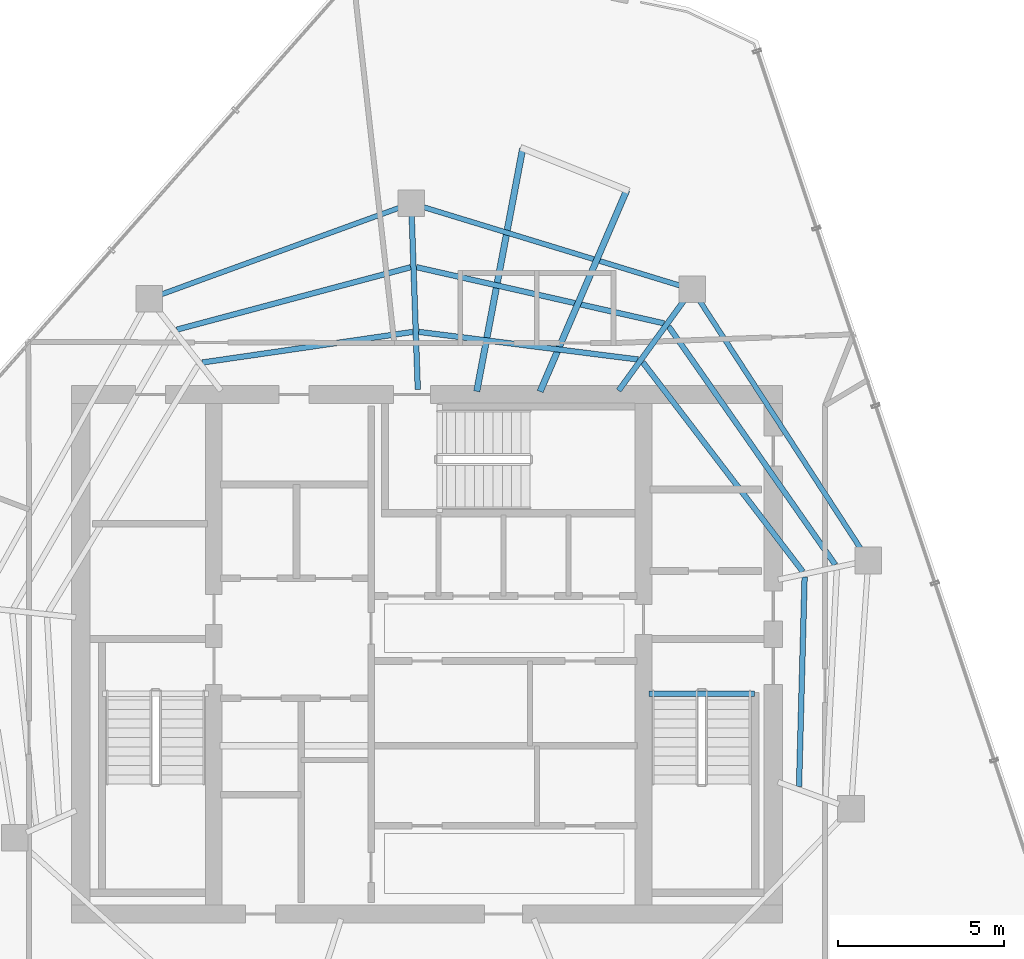
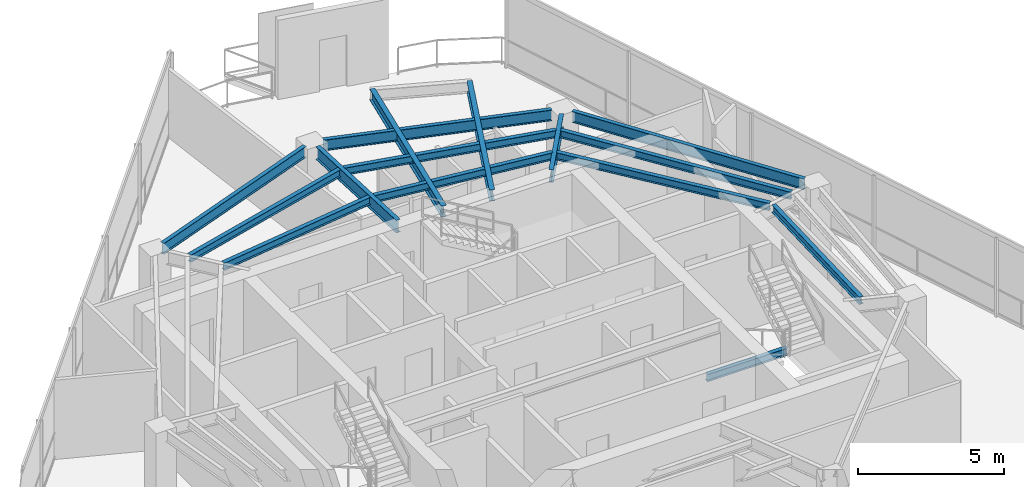
# One storey, part 9 of 18: 15 beams.
"""IFC4 building model written with IfcOpenShell, lengths in metres."""

from ifc_helpers import new_model, si_unit, direction, frame, origin, origin_2d, place, context, subcontext, project, spatial, i_section, extrude, material, material_profile, profile_set, type_object, element, save


model = new_model("IFC4")

# Units and contexts
model_context = context("Model", 3, precision=1e-05, world=origin(), true_north=direction((0.0, 1.0)))
body_context = subcontext(model_context, "Body", "Model", "MODEL_VIEW")
ifc_project = project(units=[si_unit("LENGTHUNIT", "METRE"), si_unit("AREAUNIT", "SQUARE_METRE"), si_unit("VOLUMEUNIT", "CUBIC_METRE"), si_unit("PLANEANGLEUNIT", "RADIAN"), si_unit("MASSUNIT", "GRAM", prefix="KILO")], contexts=[model_context])

# Site, building, storey
site_placement = place(None, origin())
site = spatial("IfcSite", under=ifc_project, at=site_placement, CompositionType="ELEMENT")
building_placement = place(site_placement, origin())
building = spatial("IfcBuilding", under=site, at=building_placement, Name="Qarnah Convention Tower", CompositionType="ELEMENT")
storey_placement = place(building_placement, frame((0.0, 0.0, 249.89990234375)))
storey = spatial("IfcBuildingStorey", under=building, at=storey_placement, Name="L67", CompositionType="ELEMENT", Elevation=249.89990234375)

# Beams
ifc_material = material(Name="Structural steel S355JR", Category="steel")
ifc_material_profile_1 = material_profile(ifc_material, i_section(OverallWidth=0.19189453125, OverallDepth=0.464111328125, WebThickness=0.010986328125, FlangeThickness=0.01806640625, at=origin_2d()), Name="W460X89")
ifc_profile_set_1 = profile_set([ifc_material_profile_1], Name="Structural steel S355JR")
beam_type_1 = type_object("IfcBeamType", Name="BM-CANT-W460A", PredefinedType="BEAM", material=ifc_profile_set_1)
beam_1_placement = place(storey_placement, frame((38.694091796875, 34.298095703125, 3.088134765625), z_axis=(0.185836759901, 0.982580632146, 0.0), x_axis=(-0.982580632146, 0.185836759901, 0.0)))
element("IfcBeam", 1, at=beam_1_placement, inside=storey, type_object=beam_type_1, Name="L67 beam BM-L67-CNT-01-1", PredefinedType="BEAM", context=body_context, shape_type="SweptSolid", body=[
    extrude(i_section(OverallWidth=0.19189453125, OverallDepth=0.464111328125, WebThickness=0.010986328125, FlangeThickness=0.01806640625, at=origin_2d()), origin(), (0.0, 0.0, 1.0), 7.42529296875),
])
beam_2_placement = place(storey_placement, frame((40.596923828125, 34.2919921875, 3.088134765625), z_axis=(0.395203303624, 0.918593679929, 0.0), x_axis=(-0.918593679929, 0.395203303624, 0.0)))
element("IfcBeam", 2, at=beam_2_placement, inside=storey, type_object=beam_type_1, Name="L67 beam BM-L67-CNT-01-2", PredefinedType="BEAM", context=body_context, shape_type="SweptSolid", body=[
    extrude(i_section(OverallWidth=0.19189453125, OverallDepth=0.464111328125, WebThickness=0.010986328125, FlangeThickness=0.01806640625, at=origin_2d()), origin(), (0.0, 0.0, 1.0), 6.583984375),
])
ifc_material_profile_2 = material_profile(ifc_material, i_section(OverallWidth=0.166015625, OverallDepth=0.31201171875, WebThickness=0.007080078125, FlangeThickness=0.010986328125, at=origin_2d()), Name="W310X45")
ifc_profile_set_2 = profile_set([ifc_material_profile_2], Name="Structural steel S355JR")
beam_type_2 = type_object("IfcBeamType", Name="BM-JST-W310", PredefinedType="JOIST", material=ifc_profile_set_2)
beam_3_placement = place(storey_placement, frame((43.860107421875, 25.217041015625, -0.156005859375), z_axis=(1.0, 0.0, 0.0), x_axis=(0.0, 1.0, 0.0)))
element("IfcBeam", 3, at=beam_3_placement, inside=storey, type_object=beam_type_2, Name="L67 stair landing trimmer beam BM-L67-ST2-TRM", PredefinedType="BEAM", context=body_context, shape_type="SweptSolid", body=[
    extrude(i_section(OverallWidth=0.166015625, OverallDepth=0.31201171875, WebThickness=0.007080078125, FlangeThickness=0.010986328125, at=origin_2d()), origin(), (0.0, 0.0, 1.0), 3.179931640625),
])
beam_4_placement = place(storey_placement, frame((49.4599609375, 29.091064453125, 3.1640625), z_axis=(-0.573009887427, 0.819548454279, 0.0), x_axis=(-0.819548454279, -0.573009887427, 0.0)))
element("IfcBeam", 4, at=beam_4_placement, inside=storey, type_object=beam_type_2, Name="L67 joist BM-L67-SJST-01", PredefinedType="JOIST", context=body_context, shape_type="SweptSolid", body=[
    extrude(i_section(OverallWidth=0.166015625, OverallDepth=0.31201171875, WebThickness=0.007080078125, FlangeThickness=0.010986328125, at=origin_2d()), origin(), (0.0, 0.0, 1.0), 8.729248046875),
])
beam_5_placement = place(storey_placement, frame((44.318115234375, 36.339111328125, 3.1640625), z_axis=(-0.975196339646, 0.221341589269, 0.0), x_axis=(-0.221341589269, -0.975196339646, 0.0)))
element("IfcBeam", 5, at=beam_5_placement, inside=storey, type_object=beam_type_2, Name="L67 joist BM-L67-SJST-02", PredefinedType="JOIST", context=body_context, shape_type="SweptSolid", body=[
    extrude(i_section(OverallWidth=0.166015625, OverallDepth=0.31201171875, WebThickness=0.007080078125, FlangeThickness=0.010986328125, at=origin_2d()), origin(), (0.0, 0.0, 1.0), 7.626220703125),
])
beam_6_placement = place(storey_placement, frame((36.7060546875, 38.02392578125, 3.1640625), z_axis=(-0.966190302214, -0.25782998256, 0.0), x_axis=(0.25782998256, -0.966190302214, 0.0)))
element("IfcBeam", 6, at=beam_6_placement, inside=storey, type_object=beam_type_2, Name="L67 joist BM-L67-SJST-03", PredefinedType="JOIST", context=body_context, shape_type="SweptSolid", body=[
    extrude(i_section(OverallWidth=0.166015625, OverallDepth=0.31201171875, WebThickness=0.007080078125, FlangeThickness=0.010986328125, at=origin_2d()), origin(), (0.0, 0.0, 1.0), 7.2646484375),
])
beam_7_placement = place(storey_placement, frame((48.487060546875, 28.882080078125, 3.1640625), z_axis=(-0.60729325576, 0.794477753942, 0.0), x_axis=(-0.794477753942, -0.60729325576, 0.0)))
element("IfcBeam", 7, at=beam_7_placement, inside=storey, type_object=beam_type_2, Name="L67 joist BM-L67-IJST-01", PredefinedType="JOIST", context=body_context, shape_type="SweptSolid", body=[
    extrude(i_section(OverallWidth=0.166015625, OverallDepth=0.31201171875, WebThickness=0.007080078125, FlangeThickness=0.010986328125, at=origin_2d()), origin(), (0.0, 0.0, 1.0), 7.915771484375),
])
beam_8_placement = place(storey_placement, frame((43.535888671875, 35.25390625, 3.1640625), z_axis=(-0.992148311533, 0.125066893787, 0.0), x_axis=(-0.125066893787, -0.992148311533, 0.0)))
element("IfcBeam", 8, at=beam_8_placement, inside=storey, type_object=beam_type_2, Name="L67 joist BM-L67-IJST-02", PredefinedType="JOIST", context=body_context, shape_type="SweptSolid", body=[
    extrude(i_section(OverallWidth=0.166015625, OverallDepth=0.31201171875, WebThickness=0.007080078125, FlangeThickness=0.010986328125, at=origin_2d()), origin(), (0.0, 0.0, 1.0), 6.636962890625),
])
beam_9_placement = place(storey_placement, frame((36.77294921875, 36.08203125, 3.1640625), z_axis=(-0.989593962144, -0.143888116565, 0.0), x_axis=(0.143888116565, -0.989593962144, 0.0)))
element("IfcBeam", 9, at=beam_9_placement, inside=storey, type_object=beam_type_2, Name="L67 joist BM-L67-IJST-03", PredefinedType="JOIST", context=body_context, shape_type="SweptSolid", body=[
    extrude(i_section(OverallWidth=0.166015625, OverallDepth=0.31201171875, WebThickness=0.007080078125, FlangeThickness=0.010986328125, at=origin_2d()), origin(), (0.0, 0.0, 1.0), 6.386474609375),
])
beam_10_placement = place(storey_placement, frame((48.3720703125, 22.425048828125, 3.1640625), z_axis=(0.026673720323, 0.999644193023, 0.0), x_axis=(-0.999644193023, 0.026673720323, 0.0)))
element("IfcBeam", 10, at=beam_10_placement, inside=storey, type_object=beam_type_2, Name="L67 joist BM-L67-IJST-09", PredefinedType="JOIST", context=body_context, shape_type="SweptSolid", body=[
    extrude(i_section(OverallWidth=0.166015625, OverallDepth=0.31201171875, WebThickness=0.007080078125, FlangeThickness=0.010986328125, at=origin_2d()), origin(), (0.0, 0.0, 1.0), 6.297119140625),
])
ifc_material_profile_3 = material_profile(ifc_material, i_section(OverallWidth=0.166015625, OverallDepth=0.535888671875, WebThickness=0.010009765625, FlangeThickness=0.01708984375, at=origin_2d()), Name="W530X85")
ifc_profile_set_3 = profile_set([ifc_material_profile_3], Name="Structural steel S355JR")
beam_type_3 = type_object("IfcBeamType", Name="BM-RAD-W530B", PredefinedType="BEAM", material=ifc_profile_set_3)
beam_11_placement = place(storey_placement, frame((42.955078125, 34.321044921875, 3.052001953125), z_axis=(0.587699029113, 0.809079632162, 0.0), x_axis=(-0.809079632162, 0.587699029113, 0.0)))
element("IfcBeam", 11, at=beam_11_placement, inside=storey, type_object=beam_type_3, Name="L67 beam BM-L67-RAD-02", PredefinedType="BEAM", context=body_context, shape_type="SweptSolid", body=[
    extrude(i_section(OverallWidth=0.166015625, OverallDepth=0.535888671875, WebThickness=0.010009765625, FlangeThickness=0.01708984375, at=origin_2d()), origin(), (0.0, 0.0, 1.0), 3.37890625),
])
beam_12_placement = place(storey_placement, frame((36.923095703125, 34.35009765625, 3.052001953125), z_axis=(-0.035110435588, 0.999383438582, 0.0), x_axis=(-0.999383438582, -0.035110435588, 0.0)))
element("IfcBeam", 12, at=beam_12_placement, inside=storey, type_object=beam_type_3, Name="L67 beam BM-L67-RAD-03", PredefinedType="BEAM", context=body_context, shape_type="SweptSolid", body=[
    extrude(i_section(OverallWidth=0.166015625, OverallDepth=0.535888671875, WebThickness=0.010009765625, FlangeThickness=0.01708984375, at=origin_2d()), origin(), (0.0, 0.0, 1.0), 5.215087890625),
])
ifc_material_profile_4 = material_profile(ifc_material, i_section(OverallWidth=0.154052734375, OverallDepth=0.4599609375, WebThickness=0.009033203125, FlangeThickness=0.014892578125, at=origin_2d()), Name="W460X68")
ifc_profile_set_4 = profile_set([ifc_material_profile_4], Name="Structural steel S355JR")
beam_type_4 = type_object("IfcBeamType", Name="BM-SPN-W460B", PredefinedType="SPANDREL", material=ifc_profile_set_4)
beam_13_placement = place(storey_placement, frame((50.241943359375, 29.5439453125, 3.090087890625), z_axis=(-0.544739511184, 0.838605309401, 0.0), x_axis=(-0.838605309401, -0.544739511184, 0.0)))
element("IfcBeam", 13, at=beam_13_placement, inside=storey, type_object=beam_type_4, Name="L67 spandrel BM-L67-SPN-01", PredefinedType="SPANDREL", context=body_context, shape_type="SweptSolid", body=[
    extrude(i_section(OverallWidth=0.154052734375, OverallDepth=0.4599609375, WebThickness=0.009033203125, FlangeThickness=0.014892578125, at=origin_2d()), origin(), (0.0, 0.0, 1.0), 8.9326171875),
])
beam_14_placement = place(storey_placement, frame((44.791015625, 37.47607421875, 3.090087890625), z_axis=(-0.95628886523, 0.292423675918, 0.0), x_axis=(-0.292423675918, -0.95628886523, 0.0)))
element("IfcBeam", 14, at=beam_14_placement, inside=storey, type_object=beam_type_4, Name="L67 spandrel BM-L67-SPN-02", PredefinedType="SPANDREL", context=body_context, shape_type="SweptSolid", body=[
    extrude(i_section(OverallWidth=0.154052734375, OverallDepth=0.4599609375, WebThickness=0.009033203125, FlangeThickness=0.014892578125, at=origin_2d()), origin(), (0.0, 0.0, 1.0), 8.04248046875),
])
beam_15_placement = place(storey_placement, frame((36.361083984375, 39.80908203125, 3.090087890625), z_axis=(-0.939671356419, -0.342078561044, 0.0), x_axis=(0.342078561044, -0.939671356419, 0.0)))
element("IfcBeam", 15, at=beam_15_placement, inside=storey, type_object=beam_type_4, Name="L67 spandrel BM-L67-SPN-03", PredefinedType="SPANDREL", context=body_context, shape_type="SweptSolid", body=[
    extrude(i_section(OverallWidth=0.154052734375, OverallDepth=0.4599609375, WebThickness=0.009033203125, FlangeThickness=0.014892578125, at=origin_2d()), origin(), (0.0, 0.0, 1.0), 7.59521484375),
])

save(model, "model.ifc")
